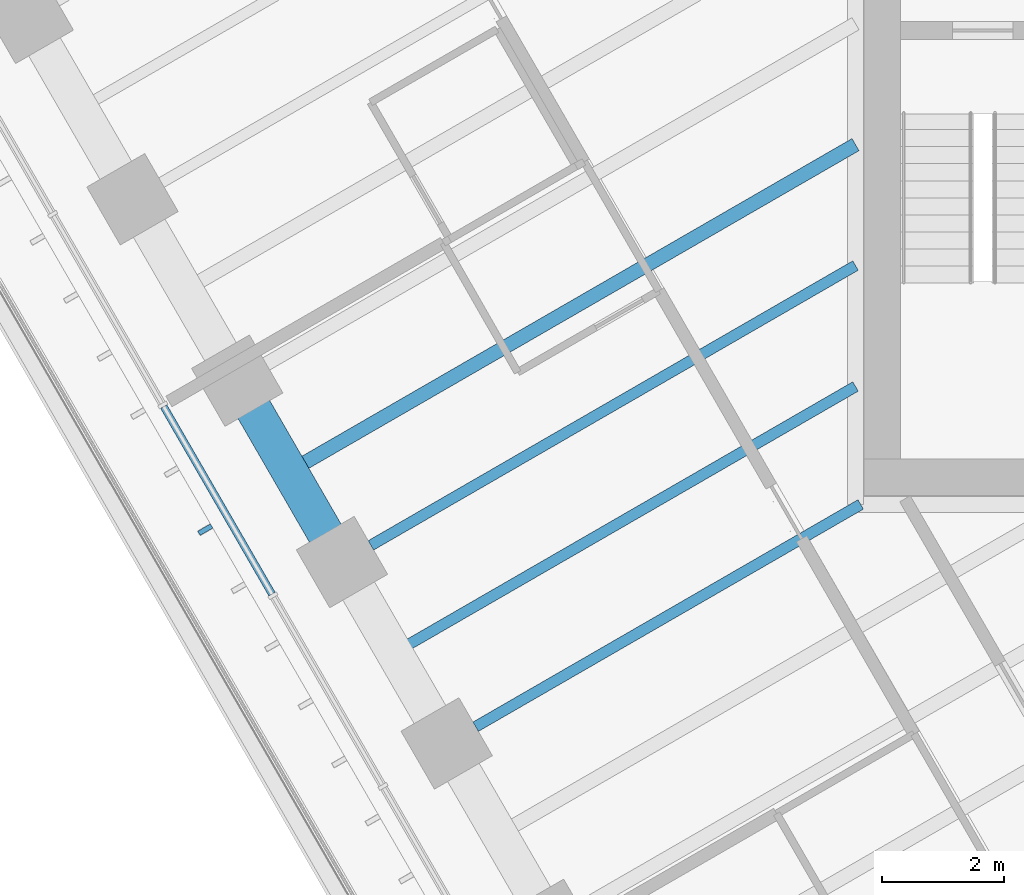
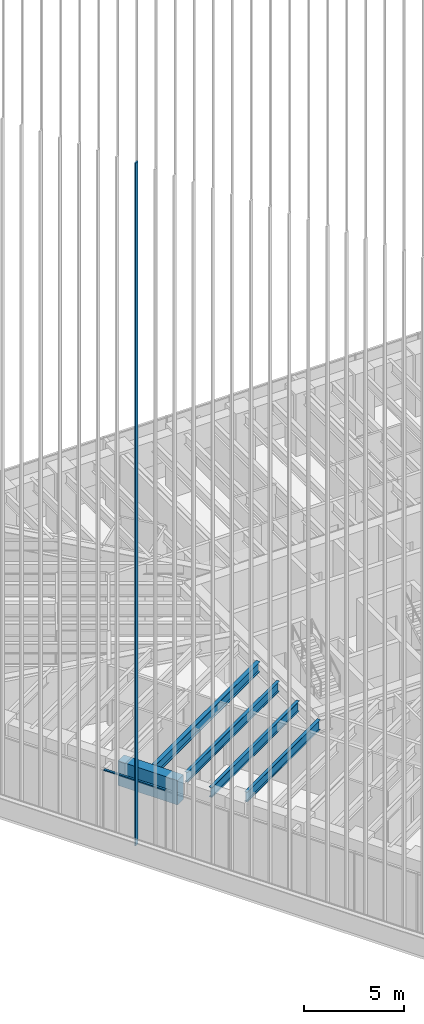
# One storey, part 23 of 127: 5 beams, 2 members, 1 element without a shape of its own.
"""IFC4 building model written with IfcOpenShell, lengths in metres."""

import ifcopenshell
import ifcopenshell.guid

model = None  # the IFC model being written
_history = None  # IfcOwnerHistory: only IFC2X3 demands one
_inside = {}  # id of a spatial element -> (the spatial element, [elements in it])
_under = {}  # id of a project, library or spatial element -> (it, [spatial elements below it])
_declared = {}  # id of a project -> (the project, [libraries it declares])
_typed = {}  # id of a type object -> (the type object, [elements of that type])
_made_of = {}  # id of a material, layer set ... -> (it, [elements and type objects made of it])


def new_model(schema):
    """Start an empty IFC model of exactly this schema.

    Asked for "IFC4X3", IfcOpenShell would pick the latest addendum, in which some entities
    have other attributes; the version numbers below select the first issue.
    IFC2X3 requires an IfcOwnerHistory on every rooted entity: one is made here for all.
    """
    global model, _history
    if schema == "IFC4X3":
        model = ifcopenshell.file(schema_version=(4, 3, 0, 0))
    else:
        model = ifcopenshell.file(schema=schema)
    _inside.clear()
    _under.clear()
    _declared.clear()
    _typed.clear()
    _made_of.clear()
    _history = None
    if model.schema == "IFC2X3":
        org = make("IfcOrganization", Name="unknown")
        user = make(
            "IfcPersonAndOrganization",
            ThePerson=make("IfcPerson", FamilyName="unknown"),
            TheOrganization=org,
        )
        app = make(
            "IfcApplication",
            ApplicationDeveloper=org,
            Version="unknown",
            ApplicationFullName="unknown",
            ApplicationIdentifier="unknown",
        )
        _history = make(
            "IfcOwnerHistory",
            OwningUser=user,
            OwningApplication=app,
            ChangeAction="ADDED",
            CreationDate=0,
        )
    return model


def make(cls, **values):
    """One entity of the class cls with the attributes given. An attribute that is None is left unset."""
    return model.create_entity(
        cls, **{name: value for name, value in values.items() if value is not None}
    )


def rooted(cls, **values):
    """An entity with a GlobalId (a new one), such as an element, a storey or a relation."""
    return make(cls, GlobalId=ifcopenshell.guid.new(), OwnerHistory=_history, **values)


def si_unit(unit_type, name, prefix=None):
    """IfcSIUnit, for example si_unit("LENGTHUNIT", "METRE", prefix="MILLI")."""
    return make("IfcSIUnit", UnitType=unit_type, Prefix=prefix, Name=name)


def assignment(units):
    """IfcUnitAssignment: the units of a project."""
    return None if units is None else make("IfcUnitAssignment", Units=units)


def point(xyz):
    """IfcCartesianPoint."""
    return None if xyz is None else make("IfcCartesianPoint", Coordinates=xyz)


def direction(xyz):
    """IfcDirection."""
    return None if xyz is None else make("IfcDirection", DirectionRatios=xyz)


def frame(location, z_axis=None, x_axis=None):
    """IfcAxis2Placement3D, a coordinate frame: its origin and axes. An axis left out is left unset."""
    return make(
        "IfcAxis2Placement3D",
        Location=point(location),
        Axis=direction(z_axis),
        RefDirection=direction(x_axis),
    )


def frame_2d(location, x_axis=None):
    """IfcAxis2Placement2D, a coordinate frame in the plane: its origin and x axis."""
    return make(
        "IfcAxis2Placement2D", Location=point(location), RefDirection=direction(x_axis)
    )


def origin():
    """The frame at (0, 0, 0) with its axes left unset."""
    return frame((0.0, 0.0, 0.0))


def origin_2d():
    """The frame at (0, 0) in the plane with its x axis left unset."""
    return frame_2d((0.0, 0.0))


def place(relative_to, where):
    """IfcLocalPlacement: puts the frame where relative to a parent placement (None: the world)."""
    return make(
        "IfcLocalPlacement", PlacementRelTo=relative_to, RelativePlacement=where
    )


def context(
    kind, dimensions, precision=None, world=None, true_north=None, identifier=None
):
    """IfcGeometricRepresentationContext, for example the 3D "Model" context."""
    return make(
        "IfcGeometricRepresentationContext",
        ContextIdentifier=identifier,
        ContextType=kind,
        CoordinateSpaceDimension=dimensions,
        Precision=precision,
        WorldCoordinateSystem=world,
        TrueNorth=true_north,
    )


def subcontext(parent, identifier, kind, view, scale=None):
    """IfcGeometricRepresentationSubContext, for example "Body" below "Model"."""
    return make(
        "IfcGeometricRepresentationSubContext",
        ContextIdentifier=identifier,
        ContextType=kind,
        ParentContext=parent,
        TargetScale=scale,
        TargetView=view,
    )


def project(units=None, contexts=None):
    """IfcProject with its units and contexts."""
    return rooted(
        "IfcProject",
        Name="project",
        RepresentationContexts=contexts,
        UnitsInContext=assignment(units),
    )


def spatial(cls, under=None, at=None, **own):
    """A site, building, storey or space (cls), placed at a placement, below another one or the project."""
    s = rooted(cls, ObjectPlacement=at, **own)
    if under is not None:
        _under.setdefault(under.id(), (under, []))[1].append(s)
    return s


def profile(cls, at=None, kind="AREA", **sizes):
    """A parametric profile (cls). Its sizes go by their IFC names, for example OverallWidth=200.0."""
    return make(cls, ProfileType=kind, Position=at, **sizes)


def rectangle(**sizes):
    """IfcRectangleProfileDef."""
    return profile("IfcRectangleProfileDef", **sizes)


def i_section(**sizes):
    """IfcIShapeProfileDef."""
    return profile("IfcIShapeProfileDef", **sizes)


def extrude(swept, where, along, depth):
    """IfcExtrudedAreaSolid: the profile swept, set in the frame where, extruded along a direction by depth."""
    return make(
        "IfcExtrudedAreaSolid",
        SweptArea=swept,
        Position=where,
        ExtrudedDirection=direction(along),
        Depth=depth,
    )


def shape(context_of_items, identifier, shape_type, items):
    """IfcShapeRepresentation: the items that make up one representation, for example the "Body"."""
    return make(
        "IfcShapeRepresentation",
        ContextOfItems=context_of_items,
        RepresentationIdentifier=identifier,
        RepresentationType=shape_type,
        Items=items,
    )


def material(Name=None, Category=None):
    """IfcMaterial."""
    return make("IfcMaterial", Name=Name, Category=Category)


def material_profile(
    of_material, cross_section, Name=None, Category=None, Priority=None
):
    """IfcMaterialProfile: a cross section and its material."""
    return make(
        "IfcMaterialProfile",
        Name=Name,
        Material=of_material,
        Profile=cross_section,
        Priority=Priority,
        Category=Category,
    )


def profile_set(profiles, Name=None, composite=None):
    """IfcMaterialProfileSet."""
    return make(
        "IfcMaterialProfileSet",
        Name=Name,
        MaterialProfiles=profiles,
        CompositeProfile=composite,
    )


def made_of(thing, what):
    """Note that an element or type object is made of a material, layer set ...; save() writes the relation."""
    if what is not None:
        _made_of.setdefault(what.id(), (what, []))[1].append(thing)
    return thing


def type_object(cls, material=None, **own):
    """A type object (cls), such as IfcWallType, which elements share."""
    return made_of(rooted(cls, **own), material)


def element(
    cls,
    number,
    at=None,
    inside=None,
    cuts=None,
    type_object=None,
    material=None,
    context=None,
    identifier="Body",
    shape_type=None,
    held_by="IfcProductDefinitionShape",
    body=None,
    shapes=None,
    **own,
):
    """One element of the class cls, such as IfcWall. Its Tag is "e" and its number.

    at: its placement. inside: the storey or other place that contains it. cuts: it is an
    opening in that element (IfcRelVoidsElement). A single representation is given by context,
    identifier, shape_type and body (its items); several are given by shapes. held_by: the class
    of the entity that holds the representations. save() writes the other relations.
    """
    e = rooted(cls, Tag="e%d" % number, ObjectPlacement=at, **own)
    if body is not None:
        shapes = [shape(context, identifier, shape_type, body)]
    if shapes is not None:
        e.Representation = make(held_by, Representations=shapes)
    if inside is not None:
        _inside.setdefault(inside.id(), (inside, []))[1].append(e)
    if cuts is not None:
        rooted(
            "IfcRelVoidsElement", RelatingBuildingElement=cuts, RelatedOpeningElement=e
        )
    if type_object is not None:
        _typed.setdefault(type_object.id(), (type_object, []))[1].append(e)
    return made_of(e, material)


def aggregate(whole, parts):
    """IfcRelAggregates: a whole, such as a stair, and the parts it consists of."""
    return rooted("IfcRelAggregates", RelatingObject=whole, RelatedObjects=parts)


def save(model, path):
    """Write the relations noted so far, then the file.

    IfcRelAggregates (storeys below a building ...), IfcRelContainedInSpatialStructure (elements
    in a storey), IfcRelDefinesByType, IfcRelAssociatesMaterial and IfcRelDeclares: one each for
    every whole, place, type object, material and project.
    """
    for whole, parts in _under.values():
        aggregate(whole, parts)
    for where, things in _inside.values():
        rooted(
            "IfcRelContainedInSpatialStructure",
            RelatedElements=things,
            RelatingStructure=where,
        )
    for kind, things in _typed.values():
        rooted("IfcRelDefinesByType", RelatedObjects=things, RelatingType=kind)
    for what, things in _made_of.values():
        rooted("IfcRelAssociatesMaterial", RelatedObjects=things, RelatingMaterial=what)
    for by, libraries in _declared.values():
        rooted("IfcRelDeclares", RelatingContext=by, RelatedDefinitions=libraries)
    model.write(path)


model = new_model("IFC4")

# Units and contexts
model_context = context("Model", 3, precision=1e-05, world=origin(), true_north=direction((0.0, 1.0)))
body_context = subcontext(model_context, "Body", "Model", "MODEL_VIEW")
ifc_project = project(units=[si_unit("LENGTHUNIT", "METRE"), si_unit("AREAUNIT", "SQUARE_METRE"), si_unit("VOLUMEUNIT", "CUBIC_METRE"), si_unit("PLANEANGLEUNIT", "RADIAN"), si_unit("MASSUNIT", "GRAM", prefix="KILO")], contexts=[model_context])

# Site, building, storey
site_placement = place(None, origin())
site = spatial("IfcSite", under=ifc_project, at=site_placement, CompositionType="ELEMENT")
building_placement = place(site_placement, origin())
building = spatial("IfcBuilding", under=site, at=building_placement, Name="Sandreach Pilgrim Tower", CompositionType="ELEMENT")
storey_placement = place(building_placement, frame((0.0, 0.0, 257.0)))
storey = spatial("IfcBuildingStorey", under=building, at=storey_placement, Name="L64", CompositionType="ELEMENT", Elevation=257.0)

# Curtain wall, member
ifc_material_1 = material(Name="Aluminium framed curtain wall", Category="aluminium")
curtain_wall_type = type_object("IfcCurtainWallType", Name="Suite tower curtain wall", PredefinedType="NOTDEFINED", material=ifc_material_1)
curtain_wall_placement = place(storey_placement, origin())
curtain_wall = element("IfcCurtainWall", 1, at=curtain_wall_placement, inside=storey, type_object=curtain_wall_type, Name="CW-4 L64 SW", PredefinedType="NOTDEFINED")
ifc_material_2 = material(Name="Aluminium extrusion", Category="aluminium")
ifc_material_profile_1 = material_profile(ifc_material_2, rectangle(XDim=0.1201171875, YDim=0.070068359375, at=origin_2d()), Name="CW-4T 120X70")
ifc_profile_set_1 = profile_set([ifc_material_profile_1], Name="Aluminium extrusion")
member_type_1 = type_object("IfcMemberType", Name="CW-4 transom", PredefinedType="USERDEFINED", material=ifc_profile_set_1)
member_1_placement = place(storey_placement, frame((-18.090576171875, -8.31884765625, 3.60498046875), z_axis=(-0.500038900691, 0.866002943295, 0.0), x_axis=(-0.866002943295, -0.500038900691, 0.0)))
member_1 = element("IfcMember", 2, at=member_1_placement, type_object=member_type_1, Name="CW-4 head transom 6", ObjectType="TRANSOM", PredefinedType="USERDEFINED", context=body_context, shape_type="SweptSolid", body=[
    extrude(rectangle(XDim=0.1201171875, YDim=0.070068359375, at=origin_2d()), origin(), (0.0, 0.0, 1.0), 3.561767578125),
])

# Beams
ifc_material_3 = material(Name="Steel ASTM A992 Grade 50", Category="steel")
ifc_material_profile_2 = material_profile(ifc_material_3, i_section(OverallWidth=0.1787109375, OverallDepth=0.60205078125, WebThickness=0.010986328125, FlangeThickness=0.014892578125, at=origin_2d()), Name="W24X62")
ifc_profile_set_2 = profile_set([ifc_material_profile_2], Name="Steel ASTM A992 Grade 50")
beam_type_1 = type_object("IfcBeamType", Name="Floor beam W24X62", PredefinedType="BEAM", material=ifc_profile_set_2)
beam_1_placement = place(storey_placement, frame((-14.741455078125, -10.5, 3.339111328125), z_axis=(0.866019920622, 0.500009496996, 0.0), x_axis=(-0.500009496996, 0.866019920622, 0.0)))
element("IfcBeam", 3, at=beam_1_placement, inside=storey, type_object=beam_type_1, Name="BM L64 F30", PredefinedType="BEAM", context=body_context, shape_type="SweptSolid", body=[
    extrude(i_section(OverallWidth=0.1787109375, OverallDepth=0.60205078125, WebThickness=0.010986328125, FlangeThickness=0.014892578125, at=origin_2d()), origin(), (0.0, 0.0, 1.0), 7.313232421875),
])
beam_2_placement = place(storey_placement, frame((-16.4638671875, -7.516357421875, 3.339111328125), z_axis=(0.866022580836, 0.500004889459, 0.0), x_axis=(-0.500004889459, 0.866022580836, 0.0)))
element("IfcBeam", 4, at=beam_2_placement, inside=storey, type_object=beam_type_1, Name="BM L64 F31", PredefinedType="BEAM", context=body_context, shape_type="SweptSolid", body=[
    extrude(i_section(OverallWidth=0.1787109375, OverallDepth=0.60205078125, WebThickness=0.010986328125, FlangeThickness=0.014892578125, at=origin_2d()), origin(), (0.0, 0.0, 1.0), 9.20361328125),
])
beam_3_placement = place(storey_placement, frame((-16.0791015625, -9.283203125, 3.339111328125), z_axis=(0.866023595995, 0.500003131169, 0.0), x_axis=(-0.500003131169, 0.866023595995, 0.0)))
element("IfcBeam", 5, at=beam_3_placement, inside=storey, type_object=beam_type_1, Name="BM L64 FM30", PredefinedType="BEAM", context=body_context, shape_type="SweptSolid", body=[
    extrude(i_section(OverallWidth=0.1787109375, OverallDepth=0.60205078125, WebThickness=0.010986328125, FlangeThickness=0.014892578125, at=origin_2d()), origin(), (0.0, 0.0, 1.0), 8.75927734375),
])
ifc_material_4 = material(Name="Steel ASTM A992 Grade 50", Category="steel")
ifc_material_profile_3 = material_profile(ifc_material_4, i_section(OverallWidth=0.23046875, OverallDepth=0.6171875, WebThickness=0.01318359375, FlangeThickness=0.022216796875, at=origin_2d()), Name="W24X94")
ifc_profile_set_3 = profile_set([ifc_material_profile_3], Name="Steel ASTM A992 Grade 50")
beam_type_2 = type_object("IfcBeamType", Name="Floor beam W24X94", PredefinedType="BEAM", material=ifc_profile_set_3)
beam_4_placement = place(storey_placement, frame((-17.801513671875, -6.2998046875, 3.331298828125), z_axis=(0.866025958161, 0.49999903979, 0.0), x_axis=(-0.49999903979, 0.866025958161, 0.0)))
element("IfcBeam", 6, at=beam_4_placement, inside=storey, type_object=beam_type_2, Name="BM L64 FM31", PredefinedType="BEAM", context=body_context, shape_type="SweptSolid", body=[
    extrude(i_section(OverallWidth=0.23046875, OverallDepth=0.6171875, WebThickness=0.01318359375, FlangeThickness=0.022216796875, at=origin_2d()), origin(), (0.0, 0.0, 1.0), 10.748046875),
])
ifc_material_5 = material(Name="Concrete 10000 psi", Category="concrete")
ifc_material_profile_4 = material_profile(ifc_material_5, rectangle(XDim=0.60009765625, YDim=1.5, at=origin_2d()), Name="RC600X1500")
ifc_profile_set_4 = profile_set([ifc_material_profile_4], Name="Concrete 10000 psi")
beam_type_3 = type_object("IfcBeamType", Name="Spandrel beam RC600X1500", PredefinedType="SPANDREL", material=ifc_profile_set_4)
beam_5_placement = place(storey_placement, frame((-16.940185546875, -7.79150390625, 2.889892578125), z_axis=(-0.500041441558, 0.866001476168, 0.0), x_axis=(-0.866001476168, -0.500041441558, 0.0)))
element("IfcBeam", 7, at=beam_5_placement, inside=storey, type_object=beam_type_3, Name="BM L64 SP31", PredefinedType="SPANDREL", context=body_context, shape_type="SweptSolid", body=[
    extrude(rectangle(XDim=0.60009765625, YDim=1.5, at=origin_2d()), origin(), (0.0, 0.0, 1.0), 3.445068359375),
])

# Member
ifc_material_6 = material(Name="Extruded terracotta on aluminium core", Category="masonry")
ifc_material_profile_5 = material_profile(ifc_material_6, rectangle(XDim=0.080078125, YDim=0.239990234375, at=origin_2d()), Name="TBW 80X240")
ifc_profile_set_5 = profile_set([ifc_material_profile_5], Name="Extruded terracotta on aluminium core")
member_type_2 = type_object("IfcMemberType", Name="Terracotta baguette west", PredefinedType="USERDEFINED", material=ifc_profile_set_5)
member_2_placement = place(storey_placement, frame((-19.18798828125, -7.25830078125, 0.0), z_axis=(0.0, 0.0, 1.0), x_axis=(-0.5, 0.866025403784, 0.0)))
member_2 = element("IfcMember", 8, at=member_2_placement, type_object=member_type_2, Name="Baguette Z4 SW18", ObjectType="BAGUETTE", PredefinedType="USERDEFINED", context=body_context, shape_type="SweptSolid", body=[
    extrude(rectangle(XDim=0.080078125, YDim=0.239990234375, at=origin_2d()), origin(), (0.0, 0.0, 1.0), 41.639892578125),
])

aggregate(curtain_wall, [member_1, member_2])

save(model, "model.ifc")
